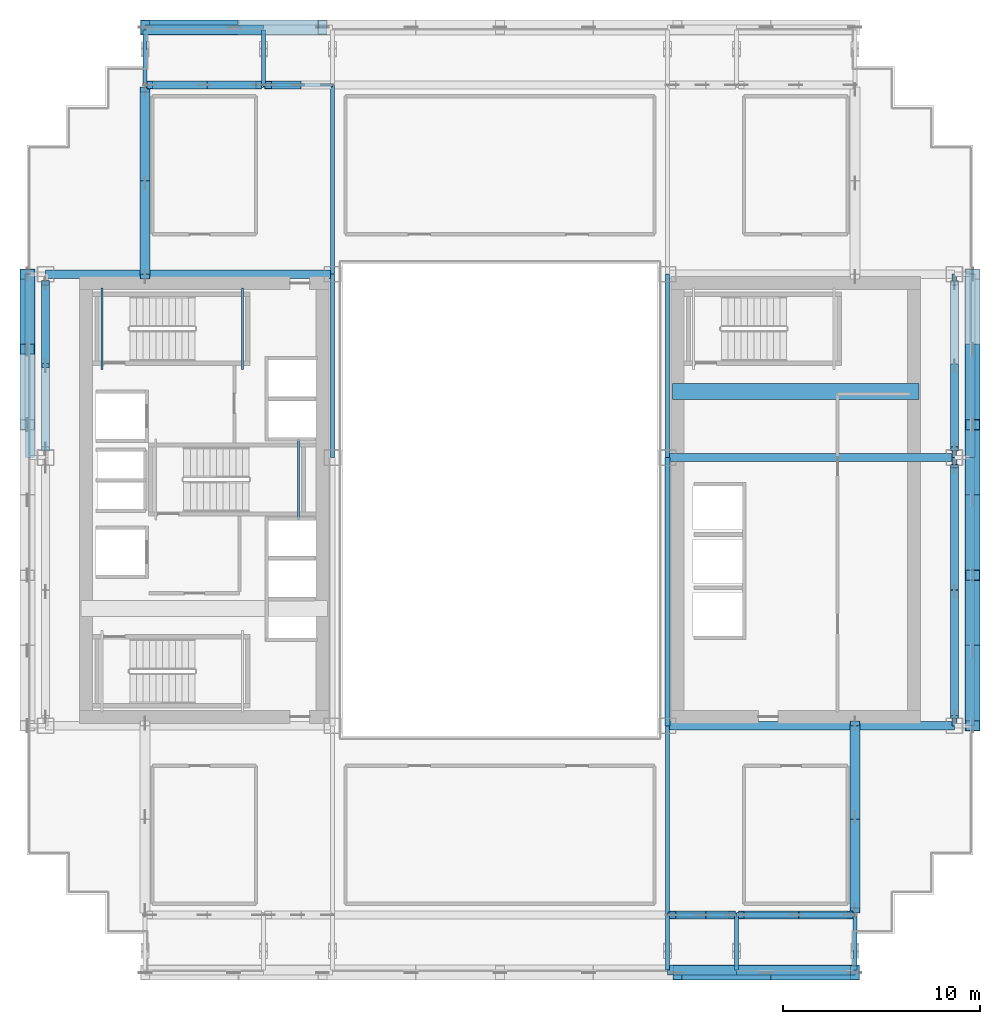
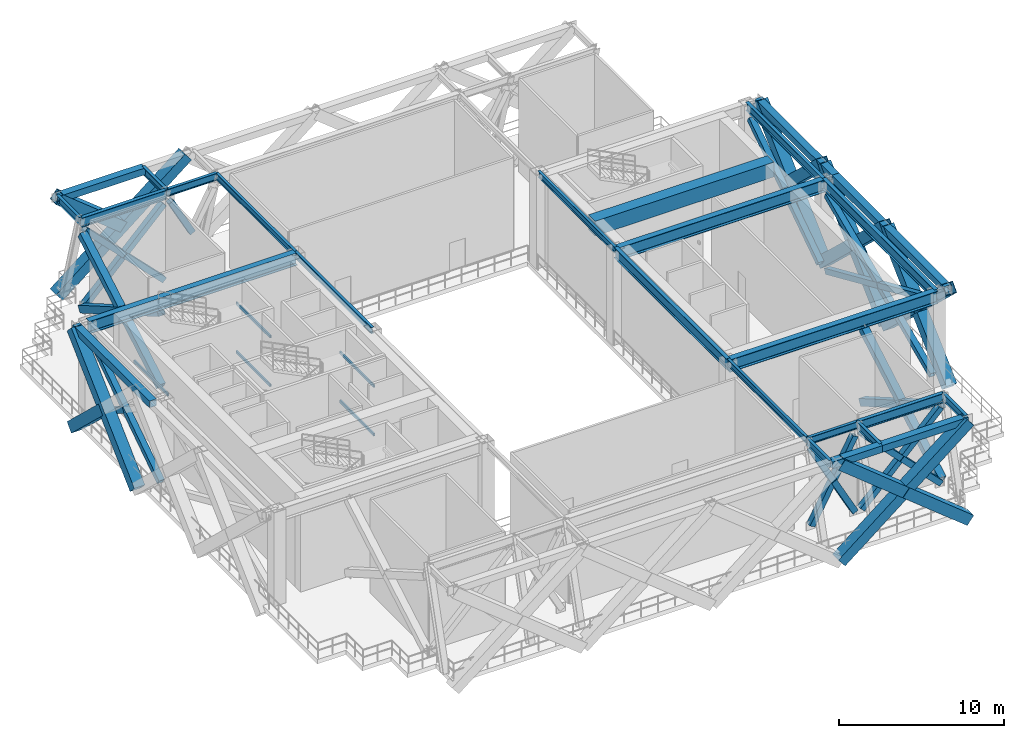
# One storey, part 2 of 14: 38 members, 31 beams.
"""IFC4 building model written with IfcOpenShell, lengths in metres."""

from ifc_helpers import new_model, si_unit, direction, frame, origin, origin_2d, place, context, subcontext, project, spatial, rectangle, hollow_rectangle, i_section, extrude, source, transform, mapped, material, material_profile, profile_set, type_object, element, save


model = new_model("IFC4")

# Units and contexts
model_context = context("Model", 3, precision=1e-05, world=origin(), true_north=direction((0.0, 1.0)))
body_context = subcontext(model_context, "Body", "Model", "MODEL_VIEW")
ifc_project = project(units=[si_unit("LENGTHUNIT", "METRE"), si_unit("AREAUNIT", "SQUARE_METRE"), si_unit("VOLUMEUNIT", "CUBIC_METRE"), si_unit("PLANEANGLEUNIT", "RADIAN"), si_unit("MASSUNIT", "GRAM", prefix="KILO")], contexts=[model_context])

# Site, building, storey
site_placement = place(None, origin())
site = spatial("IfcSite", under=ifc_project, at=site_placement, CompositionType="ELEMENT")
building_placement = place(site_placement, origin())
building = spatial("IfcBuilding", under=site, at=building_placement, Name="Ocotamira Hotel", CompositionType="ELEMENT")
storey_placement = place(building_placement, frame((0.0, 0.0, 151.199951171875)))
storey = spatial("IfcBuildingStorey", under=building, at=storey_placement, Name="L38", CompositionType="ELEMENT", Elevation=151.199951171875)

# Beams
ifc_material_1 = material(Name="Concrete C60/75", Category="concrete")
ifc_material_profile_1 = material_profile(ifc_material_1, rectangle(XDim=0.800048828125, YDim=1.10009765625, at=origin_2d()), Name="RC800X1100")
ifc_profile_set_1 = profile_set([ifc_material_profile_1], Name="Concrete C60/75")
beam_type_1 = type_object("IfcBeamType", Name="BM-LINK-RC800", PredefinedType="LINTEL", material=ifc_profile_set_1)
shared_shape_1 = source(origin(), body_context, "Body", "SweptSolid", [
    extrude(rectangle(XDim=0.800048828125, YDim=1.10009765625, at=origin_2d()), origin(), (0.0, 0.0, 1.0), 12.5),
])
beam_1_placement = place(storey_placement, frame((40.75, 31.5, 6.3701171875), z_axis=(1.0, 0.0, 0.0), x_axis=(0.0, 1.0, 0.0)))
element("IfcBeam", 1, at=beam_1_placement, inside=storey, type_object=beam_type_1, Name="L38 East Core Coupling Beam", PredefinedType="LINTEL", context=body_context, shape_type="MappedRepresentation", body=[
    mapped(shared_shape_1, transform((0.0, 0.0, 0.0), scale=1.0)),
])
ifc_material_2 = material(Name="Steel ASTM A500 Grade C", Category="steel")
ifc_material_profile_2 = material_profile(ifc_material_2, hollow_rectangle(XDim=0.10009765625, YDim=0.199951171875, WallThickness=0.008056640625, at=origin_2d()), Name="HSS200X100X8")
ifc_profile_set_2 = profile_set([ifc_material_profile_2], Name="Steel ASTM A500 Grade C")
beam_type_2 = type_object("IfcBeamType", Name="BM-STLDG-HSS200", PredefinedType="BEAM", material=ifc_profile_set_2)
shared_shape_2 = source(origin(), body_context, "Body", "SweptSolid", [
    extrude(hollow_rectangle(XDim=0.10009765625, YDim=0.199951171875, WallThickness=0.008056640625, at=origin_2d()), origin(), (0.0, 0.0, 1.0), 4.1201171875),
])
for number, where, z_axis, x_axis, name in (
    (2, (18.949951171875, 32.6298828125, 1.5), (0.0, 1.0, 0.0), (-1.0, 0.0, 0.0), "L38 Stair ST-2 Landing Bearer 1"),
    (3, (11.81005859375, 32.6298828125, 3.300048828125), (0.0, 1.0, 0.0), (-1.0, 0.0, 0.0), "L38 Stair ST-2 Landing Bearer 2"),
    (4, (18.949951171875, 32.6298828125, 5.10009765625), (0.0, 1.0, 0.0), (-1.0, 0.0, 0.0), "L38 Stair ST-2 Landing Bearer 3"),
    (5, (21.780029296875, 24.97998046875, 1.5), (0.0, 1.0, 0.0), (-1.0, 0.0, 0.0), "L38 Stair ST-3 Landing Bearer 1"),
    (6, (21.780029296875, 24.97998046875, 5.10009765625), (0.0, 1.0, 0.0), (-1.0, 0.0, 0.0), "L38 Stair ST-3 Landing Bearer 3"),
):
    element("IfcBeam", number, at=place(storey_placement, frame(where, z_axis=z_axis, x_axis=x_axis)), inside=storey, type_object=beam_type_2, Name=name, PredefinedType="BEAM", context=body_context, shape_type="MappedRepresentation", body=[
        mapped(shared_shape_2, transform((0.0, 0.0, 0.0), scale=1.0)),
    ])
ifc_material_3 = material(Name="Steel ASTM A992 Grade 50", Category="steel")
ifc_material_profile_3 = material_profile(ifc_material_3, i_section(OverallWidth=0.41796875, OverallDepth=0.927001953125, WebThickness=0.019287109375, FlangeThickness=0.031982421875, FilletRadius=0.02392578125, at=origin_2d()), Name="W36X231")
ifc_profile_set_3 = profile_set([ifc_material_profile_3], Name="Steel ASTM A992 Grade 50")
beam_type_3 = type_object("IfcBeamType", Name="BM-GIRD-W36X231", PredefinedType="BEAM", material=ifc_profile_set_3)
shared_shape_3 = source(origin(), body_context, "Body", "SweptSolid", [
    extrude(i_section(OverallWidth=0.41796875, OverallDepth=0.927001953125, WebThickness=0.019287109375, FlangeThickness=0.031982421875, FilletRadius=0.02392578125, at=origin_2d()), origin(), (0.0, 0.0, 1.0), 14.550048828125),
])
for number, where, z_axis, x_axis, name in (
    (7, (40.5, 14.550048828125, 6.45654296875), (1.0, 0.0, 0.0), (0.0, 1.0, 0.0), "L38 Girder Y14.55 X40.5-55.05"),
    (8, (40.5, 28.14990234375, 6.45654296875), (1.0, 0.0, 0.0), (0.0, 1.0, 0.0), "L38 Girder Y28.15 X40.5-55.05"),
    (9, (8.949951171875, 37.449951171875, 6.45654296875), (1.0, 0.0, 0.0), (0.0, 1.0, 0.0), "L38 Girder Y37.45 X8.95-23.5"),
):
    element("IfcBeam", number, at=place(storey_placement, frame(where, z_axis=z_axis, x_axis=x_axis)), inside=storey, type_object=beam_type_3, Name=name, PredefinedType="BEAM", context=body_context, shape_type="MappedRepresentation", body=[
        mapped(shared_shape_3, transform((0.0, 0.0, 0.0), scale=1.0)),
    ])
ifc_material_profile_4 = material_profile(ifc_material_3, i_section(OverallWidth=0.256103515625, OverallDepth=0.693115234375, WebThickness=0.014404296875, FlangeThickness=0.023681640625, FilletRadius=0.01611328125, at=origin_2d()), Name="W27X114")
ifc_profile_set_4 = profile_set([ifc_material_profile_4], Name="Steel ASTM A992 Grade 50")
beam_type_4 = type_object("IfcBeamType", Name="BM-PRIM-W27X114", PredefinedType="BEAM", material=ifc_profile_set_4)
shared_shape_4 = source(origin(), body_context, "Body", "SweptSolid", [
    extrude(i_section(OverallWidth=0.256103515625, OverallDepth=0.693115234375, WebThickness=0.014404296875, FlangeThickness=0.023681640625, FilletRadius=0.01611328125, at=origin_2d()), origin(), (0.0, 0.0, 1.0), 6.0),
])
for number, where, z_axis, x_axis, name in (
    (10, (44.0, 4.949951171875, 6.573486328125), (1.0, 0.0, 0.0), (0.0, 1.0, 0.0), "L38 Girder Y4.95 X44-50"),
    (11, (14.0, 47.050048828125, 6.573486328125), (1.0, 0.0, 0.0), (0.0, 1.0, 0.0), "L38 Girder Y47.05 X14-20"),
):
    element("IfcBeam", number, at=place(storey_placement, frame(where, z_axis=z_axis, x_axis=x_axis)), inside=storey, type_object=beam_type_4, Name=name, PredefinedType="BEAM", context=body_context, shape_type="MappedRepresentation", body=[
        mapped(shared_shape_4, transform((0.0, 0.0, 0.0), scale=1.0)),
    ])
ifc_material_profile_5 = material_profile(ifc_material_3, i_section(OverallWidth=0.2099609375, OverallDepth=0.537109375, WebThickness=0.010986328125, FlangeThickness=0.017333984375, FilletRadius=0.012939453125, at=origin_2d()), Name="W21X68")
ifc_profile_set_5 = profile_set([ifc_material_profile_5], Name="Steel ASTM A992 Grade 50")
beam_type_5 = type_object("IfcBeamType", Name="BM-SEC-W21X68", PredefinedType="JOIST", material=ifc_profile_set_5)
shared_shape_5 = source(origin(), body_context, "Body", "SweptSolid", [
    extrude(i_section(OverallWidth=0.2099609375, OverallDepth=0.537109375, WebThickness=0.010986328125, FlangeThickness=0.017333984375, FilletRadius=0.012939453125, at=origin_2d()), origin(), (0.0, 0.0, 1.0), 3.5),
])
for number, where, z_axis, x_axis, name in (
    (12, (40.5, 4.949951171875, 6.651611328125), (1.0, 0.0, 0.0), (0.0, 1.0, 0.0), "L38 Girder Y4.95 X40.5-44"),
    (13, (20.0, 47.050048828125, 6.651611328125), (1.0, 0.0, 0.0), (0.0, 1.0, 0.0), "L38 Girder Y47.05 X20-23.5"),
):
    element("IfcBeam", number, at=place(storey_placement, frame(where, z_axis=z_axis, x_axis=x_axis)), inside=storey, type_object=beam_type_5, Name=name, PredefinedType="JOIST", context=body_context, shape_type="MappedRepresentation", body=[
        mapped(shared_shape_5, transform((0.0, 0.0, 0.0), scale=1.0)),
    ])
ifc_material_profile_6 = material_profile(ifc_material_3, i_section(OverallWidth=0.26611328125, OverallDepth=0.779052734375, WebThickness=0.0166015625, FlangeThickness=0.030029296875, FilletRadius=0.01806640625, at=origin_2d()), Name="W30X148")
ifc_profile_set_6 = profile_set([ifc_material_profile_6], Name="Steel ASTM A992 Grade 50")
beam_type_6 = type_object("IfcBeamType", Name="BM-GIRD-W30X148", PredefinedType="BEAM", material=ifc_profile_set_6)
shared_shape_6 = source(origin(), body_context, "Body", "SweptSolid", [
    extrude(i_section(OverallWidth=0.26611328125, OverallDepth=0.779052734375, WebThickness=0.0166015625, FlangeThickness=0.030029296875, FilletRadius=0.01806640625, at=origin_2d()), origin(), (0.0, 0.0, 1.0), 13.599853515625),
])
for number, where, z_axis, x_axis, name in (
    (14, (40.5, 14.550048828125, 6.530517578125), (0.0, 1.0, 0.0), (-1.0, 0.0, 0.0), "L38 Beam X40.5 Y14.55-28.15"),
    (15, (55.050048828125, 14.550048828125, 6.530517578125), (0.0, 1.0, 0.0), (-1.0, 0.0, 0.0), "L38 Beam X55.05 Y14.55-28.15"),
):
    element("IfcBeam", number, at=place(storey_placement, frame(where, z_axis=z_axis, x_axis=x_axis)), inside=storey, type_object=beam_type_6, Name=name, PredefinedType="BEAM", context=body_context, shape_type="MappedRepresentation", body=[
        mapped(shared_shape_6, transform((0.0, 0.0, 0.0), scale=1.0)),
    ])
ifc_material_profile_7 = material_profile(ifc_material_3, i_section(OverallWidth=0.22998046875, OverallDepth=0.616943359375, WebThickness=0.01318359375, FlangeThickness=0.022216796875, FilletRadius=0.012939453125, at=origin_2d()), Name="W24X94")
ifc_profile_set_7 = profile_set([ifc_material_profile_7], Name="Steel ASTM A992 Grade 50")
beam_type_7 = type_object("IfcBeamType", Name="BM-PRIM-W24X94", PredefinedType="BEAM", material=ifc_profile_set_7)
shared_shape_7 = source(origin(), body_context, "Body", "SweptSolid", [
    extrude(i_section(OverallWidth=0.22998046875, OverallDepth=0.616943359375, WebThickness=0.01318359375, FlangeThickness=0.022216796875, FilletRadius=0.012939453125, at=origin_2d()), origin(), (0.0, 0.0, 1.0), 9.300048828125),
])
beam_2_placement = place(storey_placement, frame((55.050048828125, 28.14990234375, 6.611572265625), z_axis=(0.0, 1.0, 0.0), x_axis=(-1.0, 0.0, 0.0)))
element("IfcBeam", 16, at=beam_2_placement, inside=storey, type_object=beam_type_7, Name="L38 Beam X55.05 Y28.15-37.45", PredefinedType="BEAM", context=body_context, shape_type="MappedRepresentation", body=[
    mapped(shared_shape_7, transform((0.0, 0.0, 0.0), scale=1.0)),
])
ifc_material_profile_8 = material_profile(ifc_material_3, i_section(OverallWidth=0.18994140625, OverallDepth=0.45703125, WebThickness=0.009033203125, FlangeThickness=0.014404296875, FilletRadius=0.010009765625, at=origin_2d()), Name="W18X50")
ifc_profile_set_8 = profile_set([ifc_material_profile_8], Name="Steel ASTM A992 Grade 50")
beam_type_8 = type_object("IfcBeamType", Name="BM-SEC-W18X50", PredefinedType="JOIST", material=ifc_profile_set_8)
shared_shape_8 = source(origin(), body_context, "Body", "SweptSolid", [
    extrude(i_section(OverallWidth=0.18994140625, OverallDepth=0.45703125, WebThickness=0.009033203125, FlangeThickness=0.014404296875, FilletRadius=0.010009765625, at=origin_2d()), origin(), (0.0, 0.0, 1.0), 9.300048828125),
])
for number, where, z_axis, x_axis, name in (
    (17, (23.5, 28.14990234375, 6.691650390625), (0.0, 1.0, 0.0), (-1.0, 0.0, 0.0), "L38 Beam X23.5 Y28.15-37.45"),
    (18, (40.5, 28.14990234375, 6.691650390625), (0.0, 1.0, 0.0), (-1.0, 0.0, 0.0), "L38 Beam X40.5 Y28.15-37.45"),
):
    element("IfcBeam", number, at=place(storey_placement, frame(where, z_axis=z_axis, x_axis=x_axis)), inside=storey, type_object=beam_type_8, Name=name, PredefinedType="JOIST", context=body_context, shape_type="MappedRepresentation", body=[
        mapped(shared_shape_8, transform((0.0, 0.0, 0.0), scale=1.0)),
    ])
ifc_material_profile_9 = material_profile(ifc_material_2, hollow_rectangle(XDim=0.5, YDim=0.5, WallThickness=0.02001953125, at=origin_2d()), Name="HSS500X500X20")
ifc_profile_set_9 = profile_set([ifc_material_profile_9], Name="Steel ASTM A500 Grade C")
beam_type_9 = type_object("IfcBeamType", Name="BM-SPAN-HSS500", PredefinedType="USERDEFINED", material=ifc_profile_set_9)
shared_shape_9 = source(origin(), body_context, "Body", "SweptSolid", [
    extrude(hollow_rectangle(XDim=0.5, YDim=0.5, WallThickness=0.02001953125, at=origin_2d()), origin(), (0.0, 0.0, 1.0), 6.0),
])
for number, where, z_axis, x_axis, name in (
    (19, (44.0, 2.14990234375, 6.670166015625), (1.0, 0.0, 0.0), (0.0, 1.0, 0.0), "L38 Edge Spandrel S X44-50"),
    (20, (14.0, 49.85009765625, 6.670166015625), (1.0, 0.0, 0.0), (0.0, 1.0, 0.0), "L38 Edge Spandrel N X14-20"),
):
    element("IfcBeam", number, at=place(storey_placement, frame(where, z_axis=z_axis, x_axis=x_axis)), inside=storey, type_object=beam_type_9, Name=name, ObjectType="SPANDREL", PredefinedType="USERDEFINED", context=body_context, shape_type="MappedRepresentation", body=[
        mapped(shared_shape_9, transform((0.0, 0.0, 0.0), scale=1.0)),
    ])
shared_shape_10 = source(origin(), body_context, "Body", "SweptSolid", [
    extrude(hollow_rectangle(XDim=0.5, YDim=0.5, WallThickness=0.02001953125, at=origin_2d()), origin(), (0.0, 0.0, 1.0), 13.599853515625),
])
beam_3_placement = place(storey_placement, frame((55.85009765625, 14.550048828125, 6.670166015625), z_axis=(0.0, 1.0, 0.0), x_axis=(-1.0, 0.0, 0.0)))
element("IfcBeam", 21, at=beam_3_placement, inside=storey, type_object=beam_type_9, Name="L38 Edge Spandrel E Y14.55-28.15", ObjectType="SPANDREL", PredefinedType="USERDEFINED", context=body_context, shape_type="MappedRepresentation", body=[
    mapped(shared_shape_10, transform((0.0, 0.0, 0.0), scale=1.0)),
])
shared_shape_11 = source(origin(), body_context, "Body", "SweptSolid", [
    extrude(hollow_rectangle(XDim=0.5, YDim=0.5, WallThickness=0.02001953125, at=origin_2d()), origin(), (0.0, 0.0, 1.0), 9.300048828125),
])
for number, where, z_axis, x_axis, name in (
    (22, (8.14990234375, 28.14990234375, 6.670166015625), (0.0, 1.0, 0.0), (-1.0, 0.0, 0.0), "L38 Edge Spandrel W Y28.15-37.45"),
    (23, (55.85009765625, 28.14990234375, 6.670166015625), (0.0, 1.0, 0.0), (-1.0, 0.0, 0.0), "L38 Edge Spandrel E Y28.15-37.45"),
):
    element("IfcBeam", number, at=place(storey_placement, frame(where, z_axis=z_axis, x_axis=x_axis)), inside=storey, type_object=beam_type_9, Name=name, ObjectType="SPANDREL", PredefinedType="USERDEFINED", context=body_context, shape_type="MappedRepresentation", body=[
        mapped(shared_shape_11, transform((0.0, 0.0, 0.0), scale=1.0)),
    ])
shared_shape_12 = source(origin(), body_context, "Body", "SweptSolid", [
    extrude(hollow_rectangle(XDim=0.5, YDim=0.5, WallThickness=0.02001953125, at=origin_2d()), origin(), (0.0, 0.0, 1.0), 3.5),
])
beam_4_placement = place(storey_placement, frame((40.5, 2.14990234375, 6.670166015625), z_axis=(1.0, 0.0, 0.0), x_axis=(0.0, 1.0, 0.0)))
element("IfcBeam", 24, at=beam_4_placement, inside=storey, type_object=beam_type_9, Name="L38 Edge Spandrel S X40.5-44", ObjectType="SPANDREL", PredefinedType="USERDEFINED", context=body_context, shape_type="MappedRepresentation", body=[
    mapped(shared_shape_12, transform((0.0, 0.0, 0.0), scale=1.0)),
])
shared_shape_13 = source(origin(), body_context, "Body", "SweptSolid", [
    extrude(i_section(OverallWidth=0.18994140625, OverallDepth=0.45703125, WebThickness=0.009033203125, FlangeThickness=0.014404296875, FilletRadius=0.010009765625, at=origin_2d()), origin(), (0.0, 0.0, 1.0), 9.60009765625),
])
for number, where, z_axis, x_axis, name in (
    (25, (23.5, 37.449951171875, 6.691650390625), (0.0, 1.0, 0.0), (-1.0, 0.0, 0.0), "L38 Beam X23.5 Y37.45-47.05"),
    (26, (40.5, 4.949951171875, 6.691650390625), (0.0, 1.0, 0.0), (-1.0, 0.0, 0.0), "L38 Beam X40.5 Y4.95-14.55"),
):
    element("IfcBeam", number, at=place(storey_placement, frame(where, z_axis=z_axis, x_axis=x_axis)), inside=storey, type_object=beam_type_8, Name=name, PredefinedType="JOIST", context=body_context, shape_type="MappedRepresentation", body=[
        mapped(shared_shape_13, transform((0.0, 0.0, 0.0), scale=1.0)),
    ])
shared_shape_14 = source(origin(), body_context, "Body", "SweptSolid", [
    extrude(i_section(OverallWidth=0.2099609375, OverallDepth=0.537109375, WebThickness=0.010986328125, FlangeThickness=0.017333984375, FilletRadius=0.012939453125, at=origin_2d()), origin(), (0.0, 0.0, 1.0), 2.800048828125),
])
for number, where, z_axis, x_axis, name in (
    (27, (14.0, 47.050048828125, 6.651611328125), (0.0, 1.0, 0.0), (-1.0, 0.0, 0.0), "L38 North Edge Header X14"),
    (28, (20.0, 47.050048828125, 6.651611328125), (0.0, 1.0, 0.0), (-1.0, 0.0, 0.0), "L38 North Edge Header X20"),
    (29, (40.5, 4.949951171875, 6.651611328125), (0.0, -1.0, 0.0), (1.0, 0.0, 0.0), "L38 South Edge Header X40.5"),
    (30, (44.0, 4.949951171875, 6.651611328125), (0.0, -1.0, 0.0), (1.0, 0.0, 0.0), "L38 South Edge Header X44"),
    (31, (50.0, 4.949951171875, 6.651611328125), (0.0, -1.0, 0.0), (1.0, 0.0, 0.0), "L38 South Edge Header X50"),
):
    element("IfcBeam", number, at=place(storey_placement, frame(where, z_axis=z_axis, x_axis=x_axis)), inside=storey, type_object=beam_type_5, Name=name, PredefinedType="JOIST", context=body_context, shape_type="MappedRepresentation", body=[
        mapped(shared_shape_14, transform((0.0, 0.0, 0.0), scale=1.0)),
    ])

# Members
ifc_material_4 = material(Name="Steel ASTM A913 Grade 65", Category="steel")
ifc_material_profile_10 = material_profile(ifc_material_4, hollow_rectangle(XDim=0.39990234375, YDim=0.39990234375, WallThickness=0.01611328125, at=origin_2d()), Name="HSS400X400X16")
ifc_profile_set_10 = profile_set([ifc_material_profile_10], Name="Steel ASTM A913 Grade 65")
member_type_1 = type_object("IfcMemberType", Name="MEM-BELT-HSS400", PredefinedType="BRACE", material=ifc_profile_set_10)
shared_shape_15 = source(origin(), body_context, "Body", "SweptSolid", [
    extrude(hollow_rectangle(XDim=0.39990234375, YDim=0.39990234375, WallThickness=0.01611328125, at=origin_2d()), origin(), (0.0, 0.0, 1.0), 7.870361328125),
])
for number, where, z_axis, x_axis, name in (
    (32, (44.239990234375, 4.949951171875, 0.35009765625), (0.701375952143, 0.0, 0.712791535973), (0.0, 1.0, 0.0), "L38 Belt Truss Diagonal 44,4.95 A"),
    (33, (14.239990234375, 47.050048828125, 0.35009765625), (0.701375952143, 0.0, 0.712791535973), (0.0, 1.0, 0.0), "L38 Belt Truss Diagonal 14,47.05 A"),
):
    element("IfcMember", number, at=place(storey_placement, frame(where, z_axis=z_axis, x_axis=x_axis)), inside=storey, type_object=member_type_1, Name=name, PredefinedType="BRACE", context=body_context, shape_type="MappedRepresentation", body=[
        mapped(shared_shape_15, transform((0.0, 0.0, 0.0), scale=1.0)),
    ])
shared_shape_16 = source(origin(), body_context, "Body", "SweptSolid", [
    extrude(hollow_rectangle(XDim=0.39990234375, YDim=0.39990234375, WallThickness=0.01611328125, at=origin_2d()), origin(), (0.0, 0.0, 1.0), 3.915283203125),
])
for number, where, z_axis, x_axis, name in (
    (34, (44.239990234375, 4.949951171875, 5.9599609375), (0.70137820504, 0.0, -0.712789319151), (0.0, 1.0, 0.0), "L38 Belt Truss Diagonal 44,4.95 B Lower Half"),
    (35, (47.013916015625, 4.949951171875, 3.140869140625), (0.70137820504, 0.0, -0.712789319151), (0.0, 1.0, 0.0), "L38 Belt Truss Diagonal 44,4.95 B Upper Half"),
    (36, (14.239990234375, 47.050048828125, 5.9599609375), (0.70137820504, 0.0, -0.712789319151), (0.0, 1.0, 0.0), "L38 Belt Truss Diagonal 14,47.05 B Lower Half"),
    (37, (17.013916015625, 47.050048828125, 3.140869140625), (0.70137820504, 0.0, -0.712789319151), (0.0, 1.0, 0.0), "L38 Belt Truss Diagonal 14,47.05 B Upper Half"),
):
    element("IfcMember", number, at=place(storey_placement, frame(where, z_axis=z_axis, x_axis=x_axis)), inside=storey, type_object=member_type_1, Name=name, PredefinedType="BRACE", context=body_context, shape_type="MappedRepresentation", body=[
        mapped(shared_shape_16, transform((0.0, 0.0, 0.0), scale=1.0)),
    ])
shared_shape_17 = source(origin(), body_context, "Body", "SweptSolid", [
    extrude(hollow_rectangle(XDim=0.39990234375, YDim=0.39990234375, WallThickness=0.01611328125, at=origin_2d()), origin(), (0.0, 0.0, 1.0), 6.37109375),
])
member_1_placement = place(storey_placement, frame((40.739990234375, 4.949951171875, 0.35009765625), z_axis=(0.474017556158, 0.0, 0.880515392514), x_axis=(0.0, 1.0, 0.0)))
element("IfcMember", 38, at=member_1_placement, inside=storey, type_object=member_type_1, Name="L38 Belt Truss Diagonal 40.5,4.95 A", PredefinedType="BRACE", context=body_context, shape_type="MappedRepresentation", body=[
    mapped(shared_shape_17, transform((0.0, 0.0, 0.0), scale=1.0)),
])
shared_shape_18 = source(origin(), body_context, "Body", "SweptSolid", [
    extrude(hollow_rectangle(XDim=0.39990234375, YDim=0.39990234375, WallThickness=0.01611328125, at=origin_2d()), origin(), (0.0, 0.0, 1.0), 3.16552734375),
])
for number, where, z_axis, x_axis, name in (
    (39, (40.739990234375, 4.949951171875, 5.9599609375), (0.474003238469, 0.0, -0.880523100163), (0.0, 1.0, 0.0), "L38 Belt Truss Diagonal 40.5,4.95 B Lower Half"),
    (40, (42.259521484375, 4.949951171875, 3.137451171875), (0.474003238469, 0.0, -0.880523100163), (0.0, 1.0, 0.0), "L38 Belt Truss Diagonal 40.5,4.95 B Upper Half"),
    (41, (20.239990234375, 47.050048828125, 5.9599609375), (0.474003238469, 0.0, -0.880523100163), (0.0, 1.0, 0.0), "L38 Belt Truss Diagonal 20,47.05 B Lower Half"),
):
    element("IfcMember", number, at=place(storey_placement, frame(where, z_axis=z_axis, x_axis=x_axis)), inside=storey, type_object=member_type_1, Name=name, PredefinedType="BRACE", context=body_context, shape_type="MappedRepresentation", body=[
        mapped(shared_shape_18, transform((0.0, 0.0, 0.0), scale=1.0)),
    ])
shared_shape_19 = source(origin(), body_context, "Body", "SweptSolid", [
    extrude(hollow_rectangle(XDim=0.39990234375, YDim=0.39990234375, WallThickness=0.01611328125, at=origin_2d()), origin(), (0.0, 0.0, 1.0), 13.902099609375),
])
member_2_placement = place(storey_placement, frame((55.050048828125, 14.989990234375, 0.35009765625), z_axis=(0.0, 0.914967960932, 0.403526492895), x_axis=(-1.0, 0.0, 0.0)))
element("IfcMember", 42, at=member_2_placement, inside=storey, type_object=member_type_1, Name="L38 Belt Truss Diagonal 55.05,14.55 A", PredefinedType="BRACE", context=body_context, shape_type="MappedRepresentation", body=[
    mapped(shared_shape_19, transform((0.0, 0.0, 0.0), scale=1.0)),
])
shared_shape_20 = source(origin(), body_context, "Body", "SweptSolid", [
    extrude(hollow_rectangle(XDim=0.39990234375, YDim=0.39990234375, WallThickness=0.01611328125, at=origin_2d()), origin(), (0.0, 0.0, 1.0), 6.93115234375),
])
member_3_placement = place(storey_placement, frame((55.050048828125, 14.989990234375, 5.9599609375), z_axis=(0.0, 0.914969826027, -0.403522263896), x_axis=(-1.0, 0.0, 0.0)))
element("IfcMember", 43, at=member_3_placement, inside=storey, type_object=member_type_1, Name="L38 Belt Truss Diagonal 55.05,14.55 B Lower Half", PredefinedType="BRACE", context=body_context, shape_type="MappedRepresentation", body=[
    mapped(shared_shape_20, transform((0.0, 0.0, 0.0), scale=1.0)),
])
shared_shape_21 = source(origin(), body_context, "Body", "SweptSolid", [
    extrude(hollow_rectangle(XDim=0.39990234375, YDim=0.39990234375, WallThickness=0.01611328125, at=origin_2d()), origin(), (0.0, 0.0, 1.0), 6.930908203125),
])
member_4_placement = place(storey_placement, frame((55.050048828125, 21.368408203125, 3.14697265625), z_axis=(0.0, 0.914964090273, -0.403535269227), x_axis=(-1.0, 0.0, 0.0)))
element("IfcMember", 44, at=member_4_placement, inside=storey, type_object=member_type_1, Name="L38 Belt Truss Diagonal 55.05,14.55 B Upper Half", PredefinedType="BRACE", context=body_context, shape_type="MappedRepresentation", body=[
    mapped(shared_shape_21, transform((0.0, 0.0, 0.0), scale=1.0)),
])
shared_shape_22 = source(origin(), body_context, "Body", "SweptSolid", [
    extrude(hollow_rectangle(XDim=0.39990234375, YDim=0.39990234375, WallThickness=0.01611328125, at=origin_2d()), origin(), (0.0, 0.0, 1.0), 10.11767578125),
])
for number, where, z_axis, x_axis, name in (
    (45, (8.949951171875, 28.590087890625, 0.35009765625), (0.0, 0.832206180403, 0.554466295909), (-1.0, 0.0, 0.0), "L38 Belt Truss Diagonal 8.95,28.15 A"),
    (46, (55.050048828125, 28.590087890625, 0.35009765625), (0.0, 0.832206180403, 0.554466295909), (-1.0, 0.0, 0.0), "L38 Belt Truss Diagonal 55.05,28.15 A"),
):
    element("IfcMember", number, at=place(storey_placement, frame(where, z_axis=z_axis, x_axis=x_axis)), inside=storey, type_object=member_type_1, Name=name, PredefinedType="BRACE", context=body_context, shape_type="MappedRepresentation", body=[
        mapped(shared_shape_22, transform((0.0, 0.0, 0.0), scale=1.0)),
    ])
shared_shape_23 = source(origin(), body_context, "Body", "SweptSolid", [
    extrude(hollow_rectangle(XDim=0.39990234375, YDim=0.39990234375, WallThickness=0.01611328125, at=origin_2d()), origin(), (0.0, 0.0, 1.0), 5.038818359375),
])
for number, where, z_axis, x_axis, name in (
    (47, (8.949951171875, 32.816650390625, 3.14404296875), (0.0, 0.832199345178, -0.554476554857), (-1.0, 0.0, 0.0), "L38 Belt Truss Diagonal 8.95,28.15 B Upper Half"),
    (48, (55.050048828125, 28.590087890625, 5.9599609375), (0.0, 0.832221702224, -0.554442998285), (-1.0, 0.0, 0.0), "L38 Belt Truss Diagonal 55.05,28.15 B Lower Half"),
):
    element("IfcMember", number, at=place(storey_placement, frame(where, z_axis=z_axis, x_axis=x_axis)), inside=storey, type_object=member_type_1, Name=name, PredefinedType="BRACE", context=body_context, shape_type="MappedRepresentation", body=[
        mapped(shared_shape_23, transform((0.0, 0.0, 0.0), scale=1.0)),
    ])
ifc_material_profile_11 = material_profile(ifc_material_4, hollow_rectangle(XDim=0.5, YDim=0.5, WallThickness=0.02001953125, at=origin_2d()), Name="HSS500X500X20")
ifc_profile_set_11 = profile_set([ifc_material_profile_11], Name="Steel ASTM A913 Grade 65")
member_type_2 = type_object("IfcMemberType", Name="MEM-OUT-HSS500", PredefinedType="BRACE", material=ifc_profile_set_11)
shared_shape_24 = source(origin(), body_context, "Body", "SweptSolid", [
    extrude(hollow_rectangle(XDim=0.5, YDim=0.5, WallThickness=0.02001953125, at=origin_2d()), origin(), (0.0, 0.0, 1.0), 10.968017578125),
])
for number, where, z_axis, x_axis, name in (
    (49, (14.0, 37.324951171875, 0.35009765625), (0.0, 0.86571011466, 0.500545699588), (-1.0, 0.0, 0.0), "L38 Outrigger Truss N X14 A"),
    (50, (50.0, 14.675048828125, 0.35009765625), (0.0, -0.86571011466, 0.500545699588), (1.0, 0.0, 0.0), "L38 Outrigger Truss S X50 A"),
):
    element("IfcMember", number, at=place(storey_placement, frame(where, z_axis=z_axis, x_axis=x_axis)), inside=storey, type_object=member_type_2, Name=name, PredefinedType="BRACE", context=body_context, shape_type="MappedRepresentation", body=[
        mapped(shared_shape_24, transform((0.0, 0.0, 0.0), scale=1.0)),
    ])
shared_shape_25 = source(origin(), body_context, "Body", "SweptSolid", [
    extrude(hollow_rectangle(XDim=0.5, YDim=0.5, WallThickness=0.02001953125, at=origin_2d()), origin(), (0.0, 0.0, 1.0), 5.464111328125),
])
for number, where, z_axis, x_axis, name in (
    (51, (14.0, 37.324951171875, 5.840087890625), (0.0, 0.865699435504, -0.500564169081), (-1.0, 0.0, 0.0), "L38 Outrigger Truss N X14 B Lower Half"),
    (52, (50.0, 14.675048828125, 5.840087890625), (0.0, -0.865699435504, -0.500564169081), (1.0, 0.0, 0.0), "L38 Outrigger Truss S X50 B Lower Half"),
):
    element("IfcMember", number, at=place(storey_placement, frame(where, z_axis=z_axis, x_axis=x_axis)), inside=storey, type_object=member_type_2, Name=name, PredefinedType="BRACE", context=body_context, shape_type="MappedRepresentation", body=[
        mapped(shared_shape_25, transform((0.0, 0.0, 0.0), scale=1.0)),
    ])
shared_shape_26 = source(origin(), body_context, "Body", "SweptSolid", [
    extrude(hollow_rectangle(XDim=0.5, YDim=0.5, WallThickness=0.02001953125, at=origin_2d()), origin(), (0.0, 0.0, 1.0), 5.4638671875),
])
for number, where, z_axis, x_axis, name in (
    (53, (14.0, 42.08984375, 3.0849609375), (0.0, 0.865718797383, -0.500530682234), (-1.0, 0.0, 0.0), "L38 Outrigger Truss N X14 B Upper Half"),
    (54, (50.0, 9.91015625, 3.0849609375), (0.0, -0.865718797383, -0.500530682234), (1.0, 0.0, 0.0), "L38 Outrigger Truss S X50 B Upper Half"),
):
    element("IfcMember", number, at=place(storey_placement, frame(where, z_axis=z_axis, x_axis=x_axis)), inside=storey, type_object=member_type_2, Name=name, PredefinedType="BRACE", context=body_context, shape_type="MappedRepresentation", body=[
        mapped(shared_shape_26, transform((0.0, 0.0, 0.0), scale=1.0)),
    ])
ifc_material_5 = material(Name="Pale-metal coated steel ASTM A913 Grade 65", Category="steel")
ifc_material_profile_12 = material_profile(ifc_material_5, hollow_rectangle(XDim=0.75, YDim=0.75, WallThickness=0.028076171875, at=origin_2d()), Name="BOX750X750X28")
ifc_profile_set_12 = profile_set([ifc_material_profile_12], Name="Pale-metal coated steel ASTM A913 Grade 65")
member_type_3 = type_object("IfcMemberType", Name="MEM-EXO-BOX750", PredefinedType="BRACE", material=ifc_profile_set_12)
shared_shape_27 = source(origin(), body_context, "Body", "SweptSolid", [
    extrude(hollow_rectangle(XDim=0.75, YDim=0.75, WallThickness=0.028076171875, at=origin_2d()), origin(), (0.0, 0.0, 1.0), 11.55078125),
])
for number, where, z_axis, x_axis, name in (
    (55, (41.0, 2.030029296875, -0.570068359375), (0.779166772516, 0.0, 0.626816672247), (0.0, 1.0, 0.0), "L38 Exoskeleton Diagrid S3.1"),
    (56, (14.0, 49.969970703125, -0.570068359375), (0.779166772516, 0.0, 0.626816672247), (0.0, 1.0, 0.0), "L38 Exoskeleton Diagrid N0.1"),
):
    element("IfcMember", number, at=place(storey_placement, frame(where, z_axis=z_axis, x_axis=x_axis)), inside=storey, type_object=member_type_3, Name=name, PredefinedType="BRACE", context=body_context, shape_type="MappedRepresentation", body=[
        mapped(shared_shape_27, transform((0.0, 0.0, 0.0), scale=1.0)),
    ])
shared_shape_28 = source(origin(), body_context, "Body", "SweptSolid", [
    extrude(hollow_rectangle(XDim=0.75, YDim=0.75, WallThickness=0.028076171875, at=origin_2d()), origin(), (0.0, 0.0, 1.0), 5.75537109375),
])
for number, where, z_axis, x_axis, name in (
    (57, (50.0, 2.030029296875, -0.570068359375), (-0.779156701488, 0.0, 0.626829190869), (0.0, -1.0, 0.0), "L38 Exoskeleton Diagrid S3.2 Lower Half"),
    (58, (45.484375, 2.030029296875, 3.0625), (-0.779156701488, 0.0, 0.626829190869), (0.0, -1.0, 0.0), "L38 Exoskeleton Diagrid S3.2 Upper Half"),
    (59, (18.484375, 49.969970703125, 3.0625), (-0.779156701488, 0.0, 0.626829190869), (0.0, -1.0, 0.0), "L38 Exoskeleton Diagrid N0.2 Upper Half"),
):
    element("IfcMember", number, at=place(storey_placement, frame(where, z_axis=z_axis, x_axis=x_axis)), inside=storey, type_object=member_type_3, Name=name, PredefinedType="BRACE", context=body_context, shape_type="MappedRepresentation", body=[
        mapped(shared_shape_28, transform((0.0, 0.0, 0.0), scale=1.0)),
    ])
shared_shape_29 = source(origin(), body_context, "Body", "SweptSolid", [
    extrude(hollow_rectangle(XDim=0.75, YDim=0.75, WallThickness=0.028076171875, at=origin_2d()), origin(), (0.0, 0.0, 1.0), 10.520751953125),
])
for number, where, z_axis, x_axis, name in (
    (60, (8.030029296875, 29.816650390625, -0.570068359375), (0.0, 0.725540344129, 0.688179634283), (-1.0, 0.0, 0.0), "L38 Exoskeleton Diagrid W2.1"),
    (61, (55.969970703125, 14.550048828125, -0.570068359375), (0.0, 0.725540344129, 0.688179634283), (-1.0, 0.0, 0.0), "L38 Exoskeleton Diagrid E0.1"),
    (62, (55.969970703125, 22.183349609375, -0.570068359375), (0.0, 0.725540344129, 0.688179634283), (-1.0, 0.0, 0.0), "L38 Exoskeleton Diagrid E1.1"),
    (63, (55.969970703125, 29.816650390625, -0.570068359375), (0.0, 0.725540344129, 0.688179634283), (-1.0, 0.0, 0.0), "L38 Exoskeleton Diagrid E2.1"),
):
    element("IfcMember", number, at=place(storey_placement, frame(where, z_axis=z_axis, x_axis=x_axis)), inside=storey, type_object=member_type_3, Name=name, PredefinedType="BRACE", context=body_context, shape_type="MappedRepresentation", body=[
        mapped(shared_shape_29, transform((0.0, 0.0, 0.0), scale=1.0)),
    ])
shared_shape_30 = source(origin(), body_context, "Body", "SweptSolid", [
    extrude(hollow_rectangle(XDim=0.75, YDim=0.75, WallThickness=0.028076171875, at=origin_2d()), origin(), (0.0, 0.0, 1.0), 5.240478515625),
])
for number, where, z_axis, x_axis, name in (
    (64, (8.030029296875, 37.449951171875, -0.570068359375), (0.0, -0.725519166826, 0.688201960596), (1.0, 0.0, 0.0), "L38 Exoskeleton Diagrid W2.2 Lower Half"),
    (65, (55.969970703125, 22.183349609375, -0.570068359375), (0.0, -0.725541230935, 0.688178699331), (1.0, 0.0, 0.0), "L38 Exoskeleton Diagrid E0.2 Lower Half"),
    (66, (55.969970703125, 18.35205078125, 3.063720703125), (0.0, -0.725519166826, 0.688201960596), (1.0, 0.0, 0.0), "L38 Exoskeleton Diagrid E0.2 Upper Half"),
    (67, (55.969970703125, 29.816650390625, -0.570068359375), (0.0, -0.725541230935, 0.688178699331), (1.0, 0.0, 0.0), "L38 Exoskeleton Diagrid E1.2 Lower Half"),
    (68, (55.969970703125, 25.985595703125, 3.063720703125), (0.0, -0.725541230935, 0.688178699331), (1.0, 0.0, 0.0), "L38 Exoskeleton Diagrid E1.2 Upper Half"),
    (69, (55.969970703125, 33.618896484375, 3.063720703125), (0.0, -0.725541230935, 0.688178699331), (1.0, 0.0, 0.0), "L38 Exoskeleton Diagrid E2.2 Upper Half"),
):
    element("IfcMember", number, at=place(storey_placement, frame(where, z_axis=z_axis, x_axis=x_axis)), inside=storey, type_object=member_type_3, Name=name, PredefinedType="BRACE", context=body_context, shape_type="MappedRepresentation", body=[
        mapped(shared_shape_30, transform((0.0, 0.0, 0.0), scale=1.0)),
    ])

save(model, "model.ifc")
